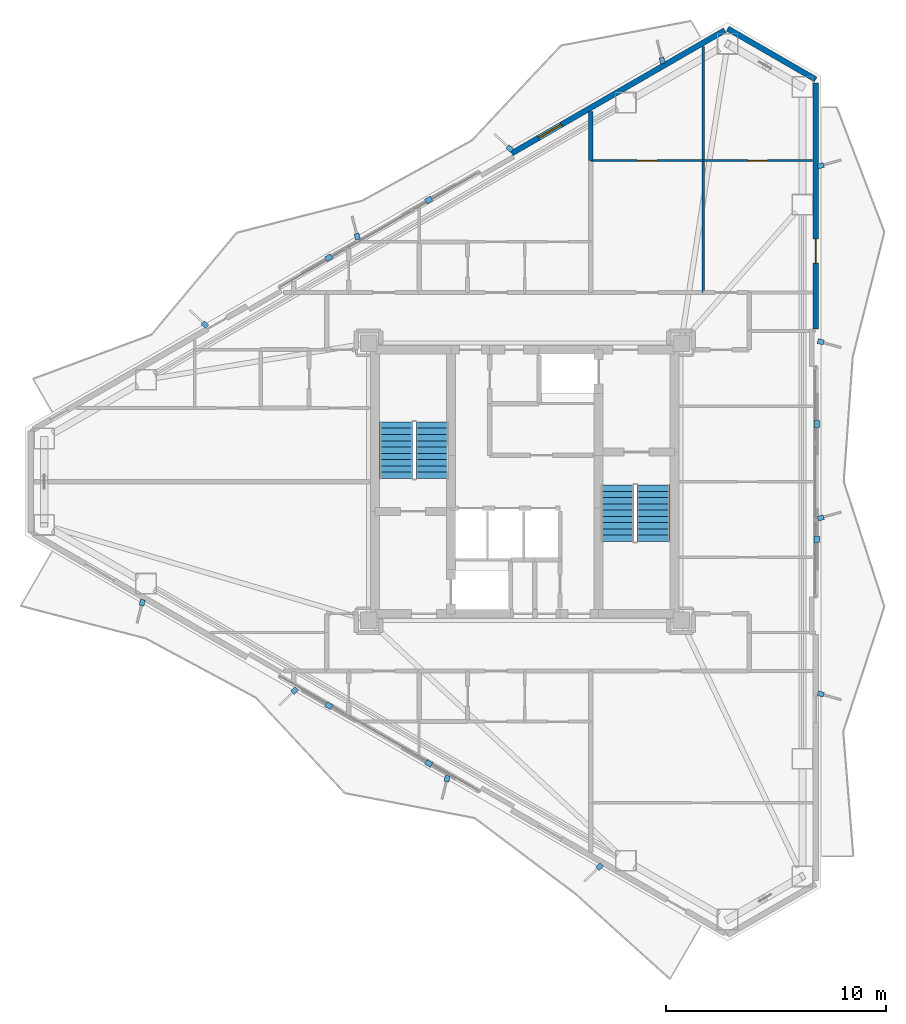
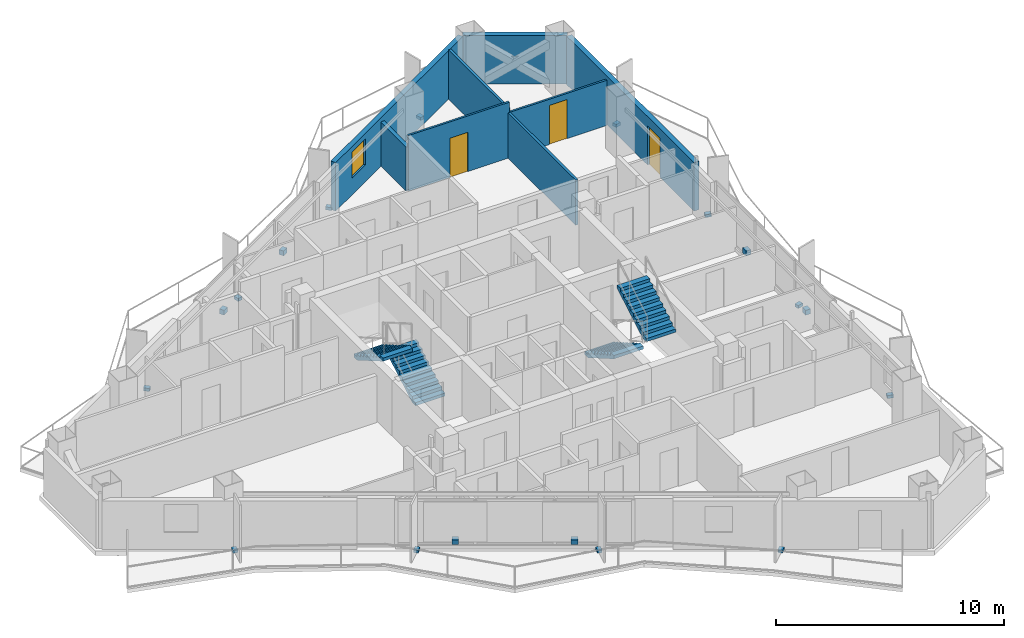
# One storey, part 16 of 18: 18 discrete accessories, 8 walls, 4 stair flights, 3 doors, 1 window, 4 openings, 2 elements without a shape of their own.
"""IFC4 building model written with IfcOpenShell, lengths in metres."""

from ifc_helpers import new_model, si_unit, direction, frame, frame_2d, origin, origin_2d, place, context, subcontext, project, spatial, polyline, rectangle, outline, extrude, material, layer, layer_set, type_object, element, fill, aggregate, save


model = new_model("IFC4")

# Units and contexts
model_context = context("Model", 3, precision=1e-05, world=origin(), true_north=direction((0.0, 1.0)))
body_context = subcontext(model_context, "Body", "Model", "MODEL_VIEW")
ifc_project = project(units=[si_unit("LENGTHUNIT", "METRE"), si_unit("AREAUNIT", "SQUARE_METRE"), si_unit("VOLUMEUNIT", "CUBIC_METRE"), si_unit("PLANEANGLEUNIT", "RADIAN"), si_unit("MASSUNIT", "GRAM", prefix="KILO")], contexts=[model_context])

# Site, building, storey
site_placement = place(None, origin())
site = spatial("IfcSite", under=ifc_project, at=site_placement, CompositionType="ELEMENT")
building_placement = place(site_placement, origin())
building = spatial("IfcBuilding", under=site, at=building_placement, Name="Mersakhor Tower and Convention Hall", CompositionType="ELEMENT")
storey_placement = place(building_placement, frame((0.0, 0.0, 157.5)))
storey = spatial("IfcBuildingStorey", under=building, at=storey_placement, Name="L44", CompositionType="ELEMENT", Elevation=157.5)

# Wall
ifc_material_1 = material(Name="Precast concrete C40/50", Category="concrete")
ifc_layer_1 = layer(ifc_material_1, 0.25)
ifc_layer_set_1 = layer_set([ifc_layer_1], Name="Precast concrete C40/50")
wall_type_1 = type_object("IfcWallType", Name="WL-EXT-250", PredefinedType="SOLIDWALL", material=ifc_layer_set_1)
wall_1_placement = place(storey_placement, frame((38.220458984375, 47.337646484375, 0.0), z_axis=(0.0, 0.0, 1.0), x_axis=(0.866035021055, -0.499983342029, 0.0)))
element("IfcWall", 1, at=wall_1_placement, inside=storey, type_object=wall_type_1, Name="L44 Chamfer Braced Spandrel Wall C1", PredefinedType="SOLIDWALL", context=body_context, shape_type="SweptSolid", body=[
    extrude(rectangle(XDim=4.617431640625, YDim=0.25, at=frame_2d((2.30859375, 0.0))), origin(), (0.0, 0.0, 1.0), 2.60009765625),
])

# Wall, opening, window
wall_2_placement = place(storey_placement, frame((28.4033203125, 41.669677734375, 0.0), z_axis=(0.0, 0.0, 1.0), x_axis=(0.86602239209, 0.500005216371, 0.0)))
wall_2 = element("IfcWall", 2, at=wall_2_placement, inside=storey, type_object=wall_type_1, Name="L44 Exterior Facade Wall F1-B3", PredefinedType="SOLIDWALL", context=body_context, shape_type="SweptSolid", body=[
    extrude(rectangle(XDim=11.18603515625, YDim=0.25, at=frame_2d((5.593017578125, 0.0))), origin(), (0.0, 0.0, 1.0), 2.60009765625),
])
opening_1_placement = place(wall_2_placement, frame((1.416015625, 0.0, 0.89990234375)))
opening_1 = element("IfcOpeningElement", 3, at=opening_1_placement, cuts=wall_2, Name="Opening W-01", PredefinedType="OPENING", context=body_context, shape_type="SweptSolid", body=[
    extrude(rectangle(XDim=1.199951171875, YDim=1.39990234375, at=frame_2d((0.60009765625, 0.699951171875))), frame((0.0, 0.135009765625, 0.0), z_axis=(0.0, -1.0, 0.0), x_axis=(1.0, 0.0, 0.0)), (0.0, 0.0, 1.0), 0.27001953125),
])
ifc_material_2 = material(Name="Dark solar low-E glazed aluminium window", Category="aluminium")
window_type = type_object("IfcWindowType", Name="WN-RES-120x150", PartitioningType="SINGLE_PANEL", PredefinedType="WINDOW", material=ifc_material_2)
window_placement = place(opening_1_placement, origin())
window = element("IfcWindow", 4, at=window_placement, inside=storey, type_object=window_type, Name="L44 Bedroom Facade Window F1-B3-1", OverallHeight=1.39990234375, OverallWidth=1.199951171875, PartitioningType="SINGLE_PANEL", PredefinedType="WINDOW", context=body_context, shape_type="SweptSolid", body=[
    extrude(rectangle(XDim=1.199951171875, YDim=1.39990234375, at=frame_2d((0.60009765625, 0.699951171875))), frame((0.0, 0.030029296875, 0.0), z_axis=(0.0, -1.0, 0.0), x_axis=(1.0, 0.0, 0.0)), (0.0, 0.0, 1.0), 0.06005859375),
])
fill(opening_1, window)

# Wall, opening, door
wall_3_placement = place(storey_placement, frame((42.21923828125, 44.87890625, 0.0), z_axis=(0.0, 0.0, 1.0), x_axis=(0.0, -1.0, 0.0)))
wall_3 = element("IfcWall", 5, at=wall_3_placement, inside=storey, type_object=wall_type_1, Name="L44 Exterior Facade Wall F2-B1", PredefinedType="SOLIDWALL", context=body_context, shape_type="SweptSolid", body=[
    extrude(rectangle(XDim=11.185791015625, YDim=0.25, at=frame_2d((5.5927734375, 0.0))), origin(), (0.0, 0.0, 1.0), 2.60009765625),
])
opening_2_placement = place(wall_3_placement, frame((7.094970703125, 0.0, 0.0)))
opening_2 = element("IfcOpeningElement", 6, at=opening_2_placement, cuts=wall_3, Name="Opening BD-02", PredefinedType="OPENING", context=body_context, shape_type="SweptSolid", body=[
    extrude(rectangle(XDim=1.10009765625, YDim=2.10009765625, at=frame_2d((0.550048828125, 1.050048828125))), frame((0.0, 0.135009765625, 0.0), z_axis=(0.0, -1.0, 0.0), x_axis=(1.0, 0.0, 0.0)), (0.0, 0.0, 1.0), 0.27001953125),
])
ifc_material_3 = material(Name="Thermally broken dark aluminium and safety glass", Category="aluminium")
door_type_1 = type_object("IfcDoorType", Name="DR-BAL-110x210", OperationType="NOTDEFINED", PredefinedType="DOOR", material=ifc_material_3)
door_1_placement = place(opening_2_placement, origin())
door_1 = element("IfcDoor", 7, at=door_1_placement, inside=storey, type_object=door_type_1, Name="L44 Balcony Terrace Door F2-B1", OperationType="SINGLE_SWING_RIGHT", OverallHeight=2.10009765625, OverallWidth=1.10009765625, PredefinedType="DOOR", context=body_context, shape_type="SweptSolid", body=[
    extrude(rectangle(XDim=1.10009765625, YDim=2.10009765625, at=frame_2d((0.550048828125, 1.050048828125))), frame((0.0, 0.02490234375, 0.0), z_axis=(0.0, -1.0, 0.0), x_axis=(1.0, 0.0, 0.0)), (0.0, 0.0, 1.0), 0.050048828125),
])
fill(opening_2, door_1)

ifc_material_4 = material(Name="Lightweight gypsum partition", Category="other")
ifc_layer_2 = layer(ifc_material_4, 0.10009765625)
ifc_layer_set_2 = layer_set([ifc_layer_2], Name="Lightweight gypsum partition")
wall_type_2 = type_object("IfcWallType", Name="WL-PRT-100", PredefinedType="PARTITIONING", material=ifc_layer_set_2)
wall_4_placement = place(storey_placement, frame((32.0, 41.340087890625, 0.0), z_axis=(0.0, 0.0, 1.0), x_axis=(1.0, 0.0, 0.0)))
wall_4 = element("IfcWall", 8, at=wall_4_placement, inside=storey, type_object=wall_type_2, Name="L44 Interior Partition Wall P-080", PredefinedType="PARTITIONING", context=body_context, shape_type="SweptSolid", body=[
    extrude(rectangle(XDim=5.110107421875, YDim=0.10009765625, at=frame_2d((2.55517578125, 0.0))), origin(), (0.0, 0.0, 1.0), 2.97998046875),
])
opening_3_placement = place(wall_4_placement, frame((2.10498046875, 0.0, 0.0)))
opening_3 = element("IfcOpeningElement", 9, at=opening_3_placement, cuts=wall_4, Name="Opening WD-01", PredefinedType="OPENING", context=body_context, shape_type="SweptSolid", body=[
    extrude(rectangle(XDim=0.89990234375, YDim=2.10009765625, at=frame_2d((0.449951171875, 1.050048828125))), frame((0.0, 0.06005859375, 0.0), z_axis=(0.0, -1.0, 0.0), x_axis=(1.0, 0.0, 0.0)), (0.0, 0.0, 1.0), 0.1201171875),
])
ifc_material_5 = material(Name="Solid-core hardwood leaf in painted steel frame", Category="steel")
door_type_2 = type_object("IfcDoorType", Name="DR-INT-WET-090x210", OperationType="NOTDEFINED", PredefinedType="DOOR", material=ifc_material_5)
door_2_placement = place(opening_3_placement, origin())
door_2 = element("IfcDoor", 10, at=door_2_placement, inside=storey, type_object=door_type_2, Name="L44 L44 North-East Residents Study Room to L44 North-East Residents Study Room Annex Door", OperationType="SINGLE_SWING_RIGHT", OverallHeight=2.10009765625, OverallWidth=0.89990234375, PredefinedType="DOOR", context=body_context, shape_type="SweptSolid", body=[
    extrude(rectangle(XDim=0.89990234375, YDim=2.10009765625, at=frame_2d((0.449951171875, 1.050048828125))), frame((0.0, 0.02490234375, 0.0), z_axis=(0.0, -1.0, 0.0), x_axis=(1.0, 0.0, 0.0)), (0.0, 0.0, 1.0), 0.050048828125),
])
fill(opening_3, door_2)

wall_5_placement = place(storey_placement, frame((37.110107421875, 41.340087890625, 0.0), z_axis=(0.0, 0.0, 1.0), x_axis=(1.0, 0.0, 0.0)))
wall_5 = element("IfcWall", 11, at=wall_5_placement, inside=storey, type_object=wall_type_2, Name="L44 Interior Partition Wall P-082", PredefinedType="PARTITIONING", context=body_context, shape_type="SweptSolid", body=[
    extrude(rectangle(XDim=4.960205078125, YDim=0.10009765625, at=frame_2d((2.47998046875, 0.0))), origin(), (0.0, 0.0, 1.0), 2.42822265625),
])
opening_4_placement = place(wall_5_placement, frame((2.030029296875, 0.0, 0.0)))
opening_4 = element("IfcOpeningElement", 12, at=opening_4_placement, cuts=wall_5, Name="Opening WD-01", PredefinedType="OPENING", context=body_context, shape_type="SweptSolid", body=[
    extrude(rectangle(XDim=0.89990234375, YDim=2.10009765625, at=frame_2d((0.449951171875, 1.050048828125))), frame((0.0, 0.06005859375, 0.0), z_axis=(0.0, -1.0, 0.0), x_axis=(1.0, 0.0, 0.0)), (0.0, 0.0, 1.0), 0.1201171875),
])
door_3_placement = place(opening_4_placement, origin())
door_3 = element("IfcDoor", 13, at=door_3_placement, inside=storey, type_object=door_type_2, Name="L44 L44 North-East Residents Study Room Annex to L44 North-East Residents Study Room Annex Annex Door", OperationType="SINGLE_SWING_LEFT", OverallHeight=2.10009765625, OverallWidth=0.89990234375, PredefinedType="DOOR", context=body_context, shape_type="SweptSolid", body=[
    extrude(rectangle(XDim=0.89990234375, YDim=2.10009765625, at=frame_2d((0.449951171875, 1.050048828125))), frame((0.0, 0.02490234375, 0.0), z_axis=(0.0, -1.0, 0.0), x_axis=(1.0, 0.0, 0.0)), (0.0, 0.0, 1.0), 0.050048828125),
])
fill(opening_4, door_3)

# Walls
ifc_material_6 = material(Name="Gypsum board acoustic partition", Category="other")
ifc_layer_3 = layer(ifc_material_6, 0.125)
ifc_layer_set_3 = layer_set([ifc_layer_3], Name="Gypsum board acoustic partition")
wall_type_3 = type_object("IfcWallType", Name="WL-PRT-125", PredefinedType="PARTITIONING", material=ifc_layer_set_3)
wall_6_placement = place(storey_placement, frame((37.110107421875, 41.340087890625, 0.0), z_axis=(0.0, 0.0, 1.0), x_axis=(0.0, -1.0, 0.0)))
element("IfcWall", 14, at=wall_6_placement, inside=storey, type_object=wall_type_3, Name="L44 Interior Partition Wall P-081", PredefinedType="PARTITIONING", context=body_context, shape_type="SweptSolid", body=[
    extrude(rectangle(XDim=5.989990234375, YDim=0.125, at=frame_2d((2.9951171875, 0.0))), origin(), (0.0, 0.0, 1.0), 2.42822265625),
])
wall_7_placement = place(storey_placement, frame((37.110107421875, 46.5244140625, 0.0), z_axis=(0.0, 0.0, 1.0), x_axis=(0.0, -1.0, 0.0)))
element("IfcWall", 15, at=wall_7_placement, inside=storey, type_object=wall_type_3, Name="L44 Interior Partition Wall P-085", PredefinedType="PARTITIONING", context=body_context, shape_type="SweptSolid", body=[
    extrude(rectangle(XDim=5.184326171875, YDim=0.125, at=frame_2d((2.59228515625, 0.0))), origin(), (0.0, 0.0, 1.0), 2.64453125),
])
ifc_material_7 = material(Name="Acoustic concrete blockwork and gypsum board", Category="masonry")
ifc_layer_4 = layer(ifc_material_7, 0.199951171875)
ifc_layer_set_4 = layer_set([ifc_layer_4], Name="Acoustic concrete blockwork and gypsum board")
wall_type_4 = type_object("IfcWallType", Name="WL-PRT-200", PredefinedType="PARTITIONING", material=ifc_layer_set_4)
wall_8_placement = place(storey_placement, frame((32.0, 41.340087890625, 0.0), z_axis=(0.0, 0.0, 1.0), x_axis=(0.0, 1.0, 0.0)))
element("IfcWall", 16, at=wall_8_placement, inside=storey, type_object=wall_type_4, Name="L44 Interior Partition Wall P-084", PredefinedType="PARTITIONING", context=body_context, shape_type="SweptSolid", body=[
    extrude(rectangle(XDim=2.234130859375, YDim=0.199951171875, at=frame_2d((1.1171875, 0.0))), origin(), (0.0, 0.0, 1.0), 2.364990234375),
])

# Stair, stair flights
ifc_material_8 = material(Name="Concrete C45/55", Category="concrete")
stair_type = type_object("IfcStairType", Name="ST-TWR-20R", PredefinedType="HALF_TURN_STAIR", material=ifc_material_8)
stair_1_placement = place(storey_placement, origin())
stair_1 = element("IfcStair", 17, at=stair_1_placement, inside=storey, type_object=stair_type, Name="L44 Tower Protected Exit Stair ST-1", PredefinedType="HALF_TURN_STAIR")
ifc_material_9 = material(Name="Concrete C45/55", Category="concrete")
stair_flight_type = type_object("IfcStairFlightType", Name="SFL-TWR-20R", PredefinedType="STRAIGHT", material=ifc_material_9)
stair_flight_1_placement = place(storey_placement, frame((24.800048828125, 26.89990234375, 0.0), z_axis=(0.0, 0.0, 1.0), x_axis=(0.0, 1.0, 0.0)))
stair_flight_1 = element("IfcStairFlight", 18, at=stair_flight_1_placement, type_object=stair_flight_type, Name="ST-1 flight 1", NumberOfRisers=10, NumberOfTreads=9, PredefinedType="STRAIGHT", RiserHeight=0.165, TreadLength=0.285, context=body_context, shape_type="SweptSolid", body=[
    extrude(outline(polyline([(0.0, 0.0), (0.0, 0.1650390625), (0.284912109375, 0.1650390625), (0.284912109375, 0.330078125), (0.570068359375, 0.330078125), (0.570068359375, 0.4951171875), (0.85498046875, 0.4951171875), (0.85498046875, 0.659912109375), (1.139892578125, 0.659912109375), (1.139892578125, 0.824951171875), (1.425048828125, 0.824951171875), (1.425048828125, 0.989990234375), (1.7099609375, 0.989990234375), (1.7099609375, 1.155029296875), (1.9951171875, 1.155029296875), (1.9951171875, 1.320068359375), (2.280029296875, 1.320068359375), (2.280029296875, 1.485107421875), (2.56494140625, 1.485107421875), (2.56494140625, 1.64990234375), (2.56494140625, 1.311767578125), (0.299072265625, 0.0), (0.0, 0.0)])), frame((0.0, 0.75, 0.0), z_axis=(0.0, -1.0, 0.0), x_axis=(1.0, 0.0, 0.0)), (0.0, 0.0, 1.0), 1.5),
])
stair_flight_2_placement = place(storey_placement, frame((23.14990234375, 29.465087890625, 1.64990234375), z_axis=(0.0, 0.0, 1.0), x_axis=(0.0, -1.0, 0.0)))
stair_flight_2 = element("IfcStairFlight", 19, at=stair_flight_2_placement, type_object=stair_flight_type, Name="ST-1 flight 2", NumberOfRisers=10, NumberOfTreads=9, PredefinedType="STRAIGHT", RiserHeight=0.165, TreadLength=0.285, context=body_context, shape_type="SweptSolid", body=[
    extrude(outline(polyline([(0.0, 0.0), (0.0, 0.1650390625), (0.284912109375, 0.1650390625), (0.284912109375, 0.330078125), (0.570068359375, 0.330078125), (0.570068359375, 0.4951171875), (0.85498046875, 0.4951171875), (0.85498046875, 0.659912109375), (1.139892578125, 0.659912109375), (1.139892578125, 0.824951171875), (1.425048828125, 0.824951171875), (1.425048828125, 0.989990234375), (1.7099609375, 0.989990234375), (1.7099609375, 1.155029296875), (1.9951171875, 1.155029296875), (1.9951171875, 1.320068359375), (2.280029296875, 1.320068359375), (2.280029296875, 1.485107421875), (2.56494140625, 1.485107421875), (2.56494140625, 1.64990234375), (2.56494140625, 1.311767578125), (0.299072265625, 0.0), (0.0, 0.0)])), frame((0.0, 0.75, 0.0), z_axis=(0.0, -1.0, 0.0), x_axis=(1.0, 0.0, 0.0)), (0.0, 0.0, 1.0), 1.5),
])
aggregate(stair_1, [stair_flight_1, stair_flight_2])

stair_2_placement = place(storey_placement, origin())
stair_2 = element("IfcStair", 20, at=stair_2_placement, inside=storey, type_object=stair_type, Name="L44 Tower Protected Exit Stair ST-2", PredefinedType="HALF_TURN_STAIR")
stair_flight_3_placement = place(storey_placement, frame((33.199951171875, 26.60009765625, 0.0), z_axis=(0.0, 0.0, 1.0), x_axis=(0.0, -1.0, 0.0)))
stair_flight_3 = element("IfcStairFlight", 21, at=stair_flight_3_placement, type_object=stair_flight_type, Name="ST-2 flight 1", NumberOfRisers=10, NumberOfTreads=9, PredefinedType="STRAIGHT", RiserHeight=0.165, TreadLength=0.285, context=body_context, shape_type="SweptSolid", body=[
    extrude(outline(polyline([(0.0, 0.0), (0.0, 0.1650390625), (0.284912109375, 0.1650390625), (0.284912109375, 0.330078125), (0.570068359375, 0.330078125), (0.570068359375, 0.4951171875), (0.85498046875, 0.4951171875), (0.85498046875, 0.659912109375), (1.139892578125, 0.659912109375), (1.139892578125, 0.824951171875), (1.425048828125, 0.824951171875), (1.425048828125, 0.989990234375), (1.7099609375, 0.989990234375), (1.7099609375, 1.155029296875), (1.9951171875, 1.155029296875), (1.9951171875, 1.320068359375), (2.280029296875, 1.320068359375), (2.280029296875, 1.485107421875), (2.56494140625, 1.485107421875), (2.56494140625, 1.64990234375), (2.56494140625, 1.311767578125), (0.299072265625, 0.0), (0.0, 0.0)])), frame((0.0, 0.75, 0.0), z_axis=(0.0, -1.0, 0.0), x_axis=(1.0, 0.0, 0.0)), (0.0, 0.0, 1.0), 1.5),
])
stair_flight_4_placement = place(storey_placement, frame((34.85009765625, 24.034912109375, 1.64990234375), z_axis=(0.0, 0.0, 1.0), x_axis=(0.0, 1.0, 0.0)))
stair_flight_4 = element("IfcStairFlight", 22, at=stair_flight_4_placement, type_object=stair_flight_type, Name="ST-2 flight 2", NumberOfRisers=10, NumberOfTreads=9, PredefinedType="STRAIGHT", RiserHeight=0.165, TreadLength=0.285, context=body_context, shape_type="SweptSolid", body=[
    extrude(outline(polyline([(0.0, 0.0), (0.0, 0.1650390625), (0.284912109375, 0.1650390625), (0.284912109375, 0.330078125), (0.570068359375, 0.330078125), (0.570068359375, 0.4951171875), (0.85498046875, 0.4951171875), (0.85498046875, 0.659912109375), (1.139892578125, 0.659912109375), (1.139892578125, 0.824951171875), (1.425048828125, 0.824951171875), (1.425048828125, 0.989990234375), (1.7099609375, 0.989990234375), (1.7099609375, 1.155029296875), (1.9951171875, 1.155029296875), (1.9951171875, 1.320068359375), (2.280029296875, 1.320068359375), (2.280029296875, 1.485107421875), (2.56494140625, 1.485107421875), (2.56494140625, 1.64990234375), (2.56494140625, 1.311767578125), (0.299072265625, 0.0), (0.0, 0.0)])), frame((0.0, 0.75, 0.0), z_axis=(0.0, -1.0, 0.0), x_axis=(1.0, 0.0, 0.0)), (0.0, 0.0, 1.0), 1.5),
])
aggregate(stair_2, [stair_flight_3, stair_flight_4])

# Discrete accessories
ifc_material_10 = material(Name="Galvanised steel bracket", Category="steel")
ifc_layer_5 = layer(ifc_material_10, 0.02001953125)
ifc_layer_set_5 = layer_set([ifc_layer_5], Name="Galvanised steel bracket")
discrete_accessory_type = type_object("IfcDiscreteAccessoryType", Name="ACC-BRK-STL", PredefinedType="BRACKET", material=ifc_layer_set_5)
for number, where, z_axis, x_axis, name in (
    (23, (20.09521484375, 36.9306640625, 0.2900390625), (0.0, 0.0, 1.0), (0.866025403784, 0.5, 0.0), "L44 Solar Screen Outrigger Bracket BRK-1-1"),
    (24, (24.6357421875, 39.55224609375, 0.2900390625), (0.0, 0.0, 1.0), (0.866025403784, 0.5, 0.0), "L44 Solar Screen Outrigger Bracket BRK-1-2"),
):
    element("IfcDiscreteAccessory", number, at=place(storey_placement, frame(where, z_axis=z_axis, x_axis=x_axis)), inside=storey, type_object=discrete_accessory_type, Name=name, PredefinedType="BRACKET", context=body_context, shape_type="SweptSolid", body=[
        extrude(rectangle(XDim=0.300048828125, YDim=0.239990234375, at=origin_2d()), origin(), (0.0, 0.0, 1.0), 0.260009765625),
    ])
for number, where, z_axis, x_axis, name in (
    (25, (14.4609375, 33.8857421875, -0.02001953125), (0.0, 0.0, 1.0), (-0.719339800339, 0.694658370459, 0.0), "L44 Facade Fin Base Cleat Bracket FBRK-1-1"),
    (26, (21.38916015625, 37.8857421875, -0.02001953125), (0.0, 0.0, 1.0), (-0.2419218956, 0.970295726276, 0.0), "L44 Facade Fin Base Cleat Bracket FBRK-1-2"),
    (27, (28.3173828125, 41.885498046875, -0.02001953125), (0.0, 0.0, 1.0), (-0.719339800339, 0.694658370459, 0.0), "L44 Facade Fin Base Cleat Bracket FBRK-1-3"),
    (28, (35.24560546875, 45.885498046875, -0.02001953125), (0.0, 0.0, 1.0), (-0.2419218956, 0.970295726276, 0.0), "L44 Facade Fin Base Cleat Bracket FBRK-1-4"),
):
    element("IfcDiscreteAccessory", number, at=place(storey_placement, frame(where, z_axis=z_axis, x_axis=x_axis)), inside=storey, type_object=discrete_accessory_type, Name=name, PredefinedType="BRACKET", context=body_context, shape_type="SweptSolid", body=[
        extrude(rectangle(XDim=0.280029296875, YDim=0.219970703125, at=origin_2d()), origin(), (0.0, 0.0, 1.0), 0.159912109375),
    ])
for number, where, z_axis, x_axis, name in (
    (29, (42.269287109375, 29.37158203125, 0.2900390625), (0.0, 0.0, 1.0), (0.0, -1.0, 0.0), "L44 Solar Screen Outrigger Bracket BRK-2-1"),
    (30, (42.269287109375, 24.12841796875, 0.2900390625), (0.0, 0.0, 1.0), (0.0, -1.0, 0.0), "L44 Solar Screen Outrigger Bracket BRK-2-2"),
):
    element("IfcDiscreteAccessory", number, at=place(storey_placement, frame(where, z_axis=z_axis, x_axis=x_axis)), inside=storey, type_object=discrete_accessory_type, Name=name, PredefinedType="BRACKET", context=body_context, shape_type="SweptSolid", body=[
        extrude(rectangle(XDim=0.300048828125, YDim=0.239990234375, at=origin_2d()), origin(), (0.0, 0.0, 1.0), 0.260009765625),
    ])
for number, where, z_axis, x_axis, name in (
    (31, (42.44921875, 41.106689453125, -0.02001953125), (0.0, 0.0, 1.0), (0.961261695938, 0.275637355817, 0.0), "L44 Facade Fin Base Cleat Bracket FBRK-2-1"),
    (32, (42.44921875, 33.106689453125, -0.02001953125), (0.0, 0.0, 1.0), (0.961261695938, -0.275637355817, 0.0), "L44 Facade Fin Base Cleat Bracket FBRK-2-2"),
    (33, (42.44921875, 25.106689453125, -0.02001953125), (0.0, 0.0, 1.0), (0.961261695938, 0.275637355817, 0.0), "L44 Facade Fin Base Cleat Bracket FBRK-2-3"),
    (34, (42.44921875, 17.106689453125, -0.02001953125), (0.0, 0.0, 1.0), (0.961261695938, -0.275637355817, 0.0), "L44 Facade Fin Base Cleat Bracket FBRK-2-4"),
):
    element("IfcDiscreteAccessory", number, at=place(storey_placement, frame(where, z_axis=z_axis, x_axis=x_axis)), inside=storey, type_object=discrete_accessory_type, Name=name, PredefinedType="BRACKET", context=body_context, shape_type="SweptSolid", body=[
        extrude(rectangle(XDim=0.280029296875, YDim=0.219970703125, at=origin_2d()), origin(), (0.0, 0.0, 1.0), 0.159912109375),
    ])
for number, where, z_axis, x_axis, name in (
    (35, (24.6357421875, 13.94775390625, 0.2900390625), (0.0, 0.0, 1.0), (-0.866025403784, 0.5, 0.0), "L44 Solar Screen Outrigger Bracket BRK-3-1"),
    (36, (20.09521484375, 16.5693359375, 0.2900390625), (0.0, 0.0, 1.0), (-0.866025403784, 0.5, 0.0), "L44 Solar Screen Outrigger Bracket BRK-3-2"),
):
    element("IfcDiscreteAccessory", number, at=place(storey_placement, frame(where, z_axis=z_axis, x_axis=x_axis)), inside=storey, type_object=discrete_accessory_type, Name=name, PredefinedType="BRACKET", context=body_context, shape_type="SweptSolid", body=[
        extrude(rectangle(XDim=0.300048828125, YDim=0.239990234375, at=origin_2d()), origin(), (0.0, 0.0, 1.0), 0.260009765625),
    ])
for number, where, z_axis, x_axis, name in (
    (37, (32.3994140625, 9.2578125, -0.02001953125), (0.0, 0.0, 1.0), (-0.719339800339, -0.694658370459, 0.0), "L44 Facade Fin Base Cleat Bracket FBRK-3-1"),
    (38, (25.470947265625, 13.2578125, -0.02001953125), (0.0, 0.0, 1.0), (-0.2419218956, -0.970295726276, 0.0), "L44 Facade Fin Base Cleat Bracket FBRK-3-2"),
    (39, (18.542724609375, 17.2578125, -0.02001953125), (0.0, 0.0, 1.0), (-0.719339800339, -0.694658370459, 0.0), "L44 Facade Fin Base Cleat Bracket FBRK-3-3"),
    (40, (11.614501953125, 21.257568359375, -0.02001953125), (0.0, 0.0, 1.0), (-0.2419218956, -0.970295726276, 0.0), "L44 Facade Fin Base Cleat Bracket FBRK-3-4"),
):
    element("IfcDiscreteAccessory", number, at=place(storey_placement, frame(where, z_axis=z_axis, x_axis=x_axis)), inside=storey, type_object=discrete_accessory_type, Name=name, PredefinedType="BRACKET", context=body_context, shape_type="SweptSolid", body=[
        extrude(rectangle(XDim=0.280029296875, YDim=0.219970703125, at=origin_2d()), origin(), (0.0, 0.0, 1.0), 0.159912109375),
    ])

save(model, "model.ifc")
